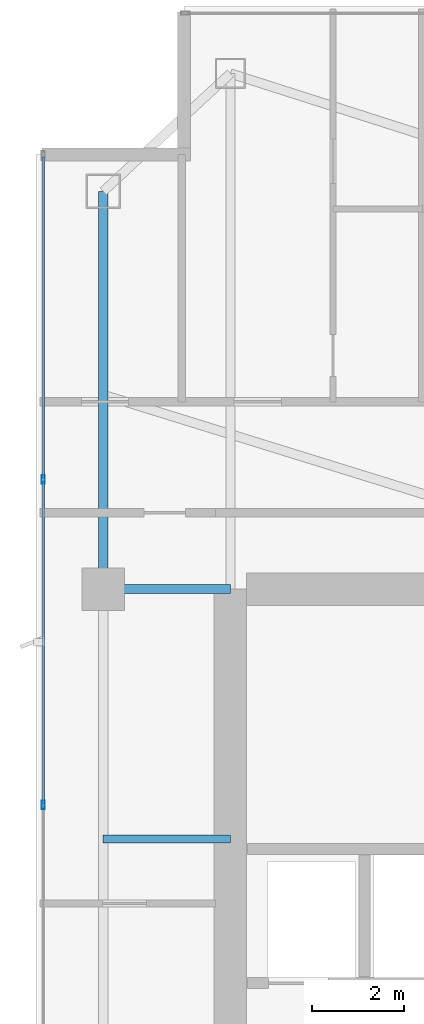
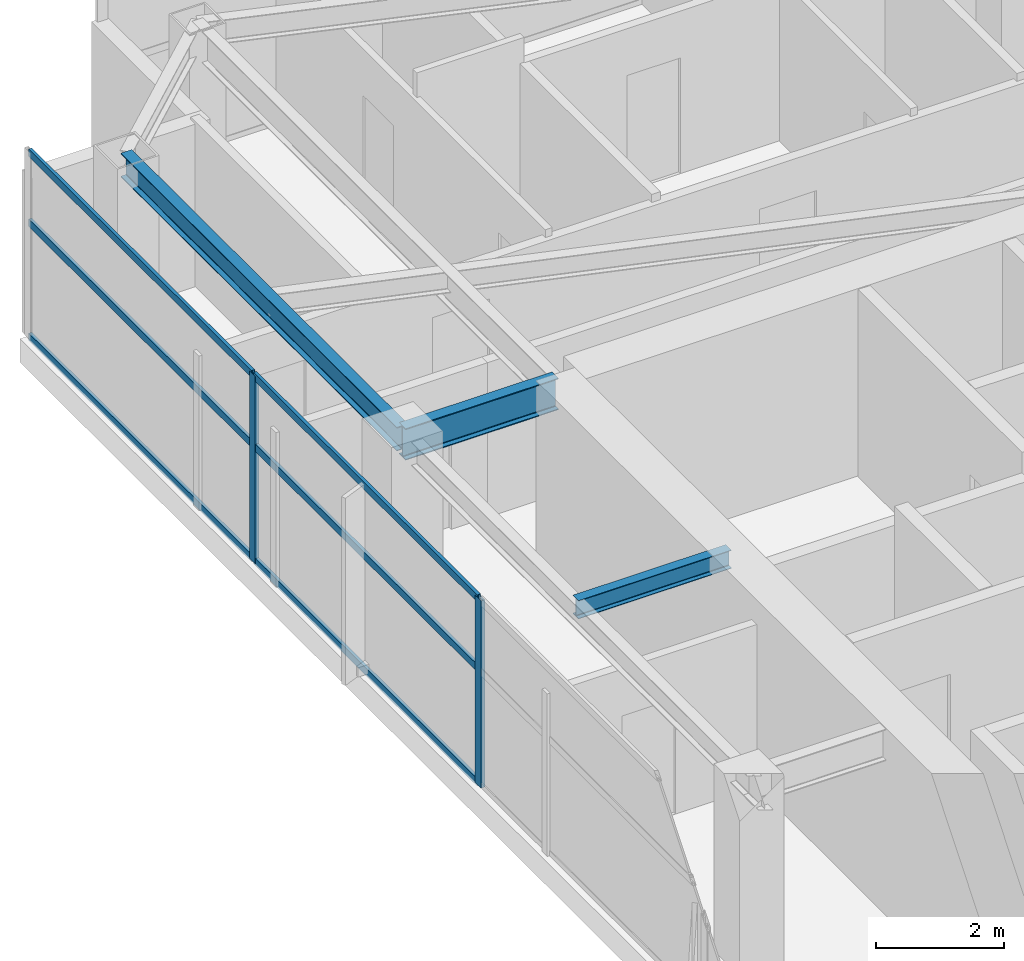
# One storey, part 16 of 29: 8 members, 3 beams, 1 element without a shape of its own.
"""IFC4 building model written with IfcOpenShell, lengths in metres."""

from ifc_helpers import new_model, si_unit, direction, frame, origin, origin_2d, place, context, subcontext, project, spatial, hollow_rectangle, i_section, extrude, material, layer, layer_set, material_profile, profile_set, type_object, element, aggregate, save


model = new_model("IFC4")

# Units and contexts
model_context = context("Model", 3, precision=1e-05, world=origin(), true_north=direction((0.0, 1.0)))
body_context = subcontext(model_context, "Body", "Model", "MODEL_VIEW")
ifc_project = project(units=[si_unit("LENGTHUNIT", "METRE"), si_unit("AREAUNIT", "SQUARE_METRE"), si_unit("VOLUMEUNIT", "CUBIC_METRE"), si_unit("PLANEANGLEUNIT", "RADIAN"), si_unit("MASSUNIT", "GRAM", prefix="KILO")], contexts=[model_context])

# Site, building, storey
site_placement = place(None, origin())
site = spatial("IfcSite", under=ifc_project, at=site_placement, CompositionType="ELEMENT")
building_placement = place(site_placement, origin())
building = spatial("IfcBuilding", under=site, at=building_placement, Name="Calvorn Quay Hotel", CompositionType="ELEMENT")
storey_placement = place(building_placement, frame((0.0, 0.0, 199.60009765625)))
storey = spatial("IfcBuildingStorey", under=building, at=storey_placement, Name="L49", CompositionType="ELEMENT", Elevation=199.60009765625)

# Beams
ifc_material_1 = material(Name="Steel Q355B", Category="steel")
ifc_material_profile_1 = material_profile(ifc_material_1, i_section(OverallWidth=0.199951171875, OverallDepth=0.60009765625, WebThickness=0.010986328125, FlangeThickness=0.01708984375, FilletRadius=0.01806640625, at=origin_2d()), Name="HN600x200x11x17")
ifc_profile_set_1 = profile_set([ifc_material_profile_1], Name="Steel Q355B")
beam_type_1 = type_object("IfcBeamType", Name="BM-GIRD-TYP", PredefinedType="BEAM", material=ifc_profile_set_1)
beam_1_placement = place(storey_placement, frame((1.449951171875, 38.39990234375, 3.239990234375), z_axis=(1.0, 0.0, 0.0), x_axis=(0.0, 1.0, 0.0)))
element("IfcBeam", 1, at=beam_1_placement, inside=storey, type_object=beam_type_1, Name="Beam BG-L49-W3", PredefinedType="BEAM", context=body_context, shape_type="SweptSolid", body=[
    extrude(i_section(OverallWidth=0.199951171875, OverallDepth=0.60009765625, WebThickness=0.010986328125, FlangeThickness=0.01708984375, FilletRadius=0.01806640625, at=origin_2d()), origin(), (0.0, 0.0, 1.0), 2.75),
])
ifc_material_2 = material(Name="Steel Q355B", Category="steel")
ifc_material_profile_2 = material_profile(ifc_material_2, i_section(OverallWidth=0.175048828125, OverallDepth=0.35009765625, WebThickness=0.007080078125, FlangeThickness=0.010986328125, FilletRadius=0.013916015625, at=origin_2d()), Name="HN350x175x7x11")
ifc_profile_set_2 = profile_set([ifc_material_profile_2], Name="Steel Q355B")
beam_type_2 = type_object("IfcBeamType", Name="BM-JOIST-SEC", PredefinedType="JOIST", material=ifc_profile_set_2)
beam_2_placement = place(storey_placement, frame((1.449951171875, 33.0, 3.364990234375), z_axis=(1.0, 0.0, 0.0), x_axis=(0.0, 1.0, 0.0)))
element("IfcBeam", 2, at=beam_2_placement, inside=storey, type_object=beam_type_2, Name="Beam BJ-L49-W4", PredefinedType="JOIST", context=body_context, shape_type="SweptSolid", body=[
    extrude(i_section(OverallWidth=0.175048828125, OverallDepth=0.35009765625, WebThickness=0.007080078125, FlangeThickness=0.010986328125, FilletRadius=0.013916015625, at=origin_2d()), origin(), (0.0, 0.0, 1.0), 2.75),
])
ifc_material_3 = material(Name="Steel Q355B", Category="steel")
ifc_material_profile_3 = material_profile(ifc_material_3, i_section(OverallWidth=0.199951171875, OverallDepth=0.449951171875, WebThickness=0.009033203125, FlangeThickness=0.013916015625, FilletRadius=0.01611328125, at=origin_2d()), Name="HN450x200x9x14")
ifc_profile_set_3 = profile_set([ifc_material_profile_3], Name="Steel Q355B")
beam_type_3 = type_object("IfcBeamType", Name="BM-SPANDREL-Z3", PredefinedType="SPANDREL", material=ifc_profile_set_3)
beam_3_placement = place(storey_placement, frame((1.449951171875, 38.39990234375, 3.31494140625), z_axis=(0.0, 1.0, 0.0), x_axis=(-1.0, 0.0, 0.0)))
element("IfcBeam", 3, at=beam_3_placement, inside=storey, type_object=beam_type_3, Name="Beam BSP-L49-W4", PredefinedType="SPANDREL", context=body_context, shape_type="SweptSolid", body=[
    extrude(i_section(OverallWidth=0.199951171875, OverallDepth=0.449951171875, WebThickness=0.009033203125, FlangeThickness=0.013916015625, FilletRadius=0.01611328125, at=origin_2d()), origin(), (0.0, 0.0, 1.0), 8.60009765625),
])

# Curtain wall, members
ifc_material_4 = material(Name="Champagne Bronze Anodised Aluminium and Low-E Glass", Category="aluminium")
ifc_layer = layer(ifc_material_4, 0.219970703125)
ifc_layer_set = layer_set([ifc_layer], Name="CW-SYS-Z3")
curtain_wall_type = type_object("IfcCurtainWallType", Name="CW-SYS-Z3", PredefinedType="NOTDEFINED", material=ifc_layer_set)
curtain_wall_placement = place(storey_placement, origin())
curtain_wall = element("IfcCurtainWall", 4, at=curtain_wall_placement, inside=storey, type_object=curtain_wall_type, Name="Tower West Curtain Wall (L49)", PredefinedType="NOTDEFINED")
ifc_material_5 = material(Name="Champagne Bronze Anodised Aluminium 6063-T6", Category="aluminium")
ifc_material_profile_4 = material_profile(ifc_material_5, hollow_rectangle(XDim=0.068115234375, YDim=0.18505859375, WallThickness=0.00390625, at=origin_2d()), Name="ALU-M185x68x4")
ifc_profile_set_4 = profile_set([ifc_material_profile_4], Name="Champagne Bronze Anodised Aluminium 6063-T6")
member_type_1 = type_object("IfcMemberType", Name="CW-SYS-Z3-MUL", PredefinedType="MULLION", material=ifc_profile_set_4)
member_1_placement = place(storey_placement, frame((0.14990234375, 33.7333984375, 0.0), z_axis=(0.0, 0.0, 1.0), x_axis=(-1.0, 0.0, 0.0)))
member_1 = element("IfcMember", 5, at=member_1_placement, type_object=member_type_1, Name="CW-L49-W mullion 5", PredefinedType="MULLION", context=body_context, shape_type="SweptSolid", body=[
    extrude(hollow_rectangle(XDim=0.068115234375, YDim=0.18505859375, WallThickness=0.00390625, at=origin_2d()), origin(), (0.0, 0.0, 1.0), 3.559814453125),
])
member_2_placement = place(storey_placement, frame((0.14990234375, 40.7666015625, 0.0), z_axis=(0.0, 0.0, 1.0), x_axis=(-1.0, 0.0, 0.0)))
member_2 = element("IfcMember", 6, at=member_2_placement, type_object=member_type_1, Name="CW-L49-W mullion 6", PredefinedType="MULLION", context=body_context, shape_type="SweptSolid", body=[
    extrude(hollow_rectangle(XDim=0.068115234375, YDim=0.18505859375, WallThickness=0.00390625, at=origin_2d()), origin(), (0.0, 0.0, 1.0), 3.559814453125),
])
ifc_material_6 = material(Name="Champagne Bronze Anodised Aluminium 6063-T6", Category="aluminium")
ifc_material_profile_5 = material_profile(ifc_material_6, hollow_rectangle(XDim=0.05810546875, YDim=0.139892578125, WallThickness=0.003173828125, at=origin_2d()), Name="ALU-T140x58x3.2")
ifc_profile_set_5 = profile_set([ifc_material_profile_5], Name="Champagne Bronze Anodised Aluminium 6063-T6")
member_type_2 = type_object("IfcMemberType", Name="CW-SYS-Z3-TRN", PredefinedType="USERDEFINED", material=ifc_profile_set_5)
member_3_placement = place(storey_placement, frame((0.14990234375, 33.763427734375, 0.02978515625), z_axis=(0.0, 1.0, 0.0), x_axis=(-1.0, 0.0, 0.0)))
member_3 = element("IfcMember", 7, at=member_3_placement, type_object=member_type_2, Name="CW-L49-W transom 5.1", ObjectType="TRANSOM", PredefinedType="USERDEFINED", context=body_context, shape_type="SweptSolid", body=[
    extrude(hollow_rectangle(XDim=0.05810546875, YDim=0.139892578125, WallThickness=0.003173828125, at=origin_2d()), origin(), (0.0, 0.0, 1.0), 6.97314453125),
])
member_4_placement = place(storey_placement, frame((0.14990234375, 33.763427734375, 2.199951171875), z_axis=(0.0, 1.0, 0.0), x_axis=(-1.0, 0.0, 0.0)))
member_4 = element("IfcMember", 8, at=member_4_placement, type_object=member_type_2, Name="CW-L49-W transom 5.2", ObjectType="TRANSOM", PredefinedType="USERDEFINED", context=body_context, shape_type="SweptSolid", body=[
    extrude(hollow_rectangle(XDim=0.05810546875, YDim=0.139892578125, WallThickness=0.003173828125, at=origin_2d()), origin(), (0.0, 0.0, 1.0), 6.97314453125),
])
member_5_placement = place(storey_placement, frame((0.14990234375, 33.763427734375, 3.52978515625), z_axis=(0.0, 1.0, 0.0), x_axis=(-1.0, 0.0, 0.0)))
member_5 = element("IfcMember", 9, at=member_5_placement, type_object=member_type_2, Name="CW-L49-W transom 5.3", ObjectType="TRANSOM", PredefinedType="USERDEFINED", context=body_context, shape_type="SweptSolid", body=[
    extrude(hollow_rectangle(XDim=0.05810546875, YDim=0.139892578125, WallThickness=0.003173828125, at=origin_2d()), origin(), (0.0, 0.0, 1.0), 6.97314453125),
])
member_6_placement = place(storey_placement, frame((0.14990234375, 40.796630859375, 0.02978515625), z_axis=(0.0, 1.0, 0.0), x_axis=(-1.0, 0.0, 0.0)))
member_6 = element("IfcMember", 10, at=member_6_placement, type_object=member_type_2, Name="CW-L49-W transom 6.1", ObjectType="TRANSOM", PredefinedType="USERDEFINED", context=body_context, shape_type="SweptSolid", body=[
    extrude(hollow_rectangle(XDim=0.05810546875, YDim=0.139892578125, WallThickness=0.003173828125, at=origin_2d()), origin(), (0.0, 0.0, 1.0), 6.943359375),
])
member_7_placement = place(storey_placement, frame((0.14990234375, 40.796630859375, 2.199951171875), z_axis=(0.0, 1.0, 0.0), x_axis=(-1.0, 0.0, 0.0)))
member_7 = element("IfcMember", 11, at=member_7_placement, type_object=member_type_2, Name="CW-L49-W transom 6.2", ObjectType="TRANSOM", PredefinedType="USERDEFINED", context=body_context, shape_type="SweptSolid", body=[
    extrude(hollow_rectangle(XDim=0.05810546875, YDim=0.139892578125, WallThickness=0.003173828125, at=origin_2d()), origin(), (0.0, 0.0, 1.0), 6.943359375),
])
member_8_placement = place(storey_placement, frame((0.14990234375, 40.796630859375, 3.52978515625), z_axis=(0.0, 1.0, 0.0), x_axis=(-1.0, 0.0, 0.0)))
member_8 = element("IfcMember", 12, at=member_8_placement, type_object=member_type_2, Name="CW-L49-W transom 6.3", ObjectType="TRANSOM", PredefinedType="USERDEFINED", context=body_context, shape_type="SweptSolid", body=[
    extrude(hollow_rectangle(XDim=0.05810546875, YDim=0.139892578125, WallThickness=0.003173828125, at=origin_2d()), origin(), (0.0, 0.0, 1.0), 6.943359375),
])
aggregate(curtain_wall, [member_1, member_2, member_3, member_4, member_5, member_6, member_7, member_8])

save(model, "model.ifc")
